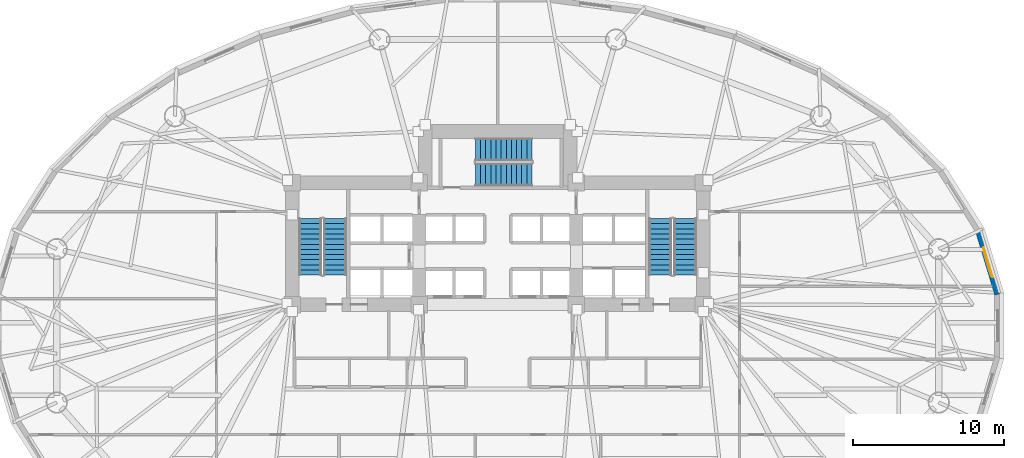
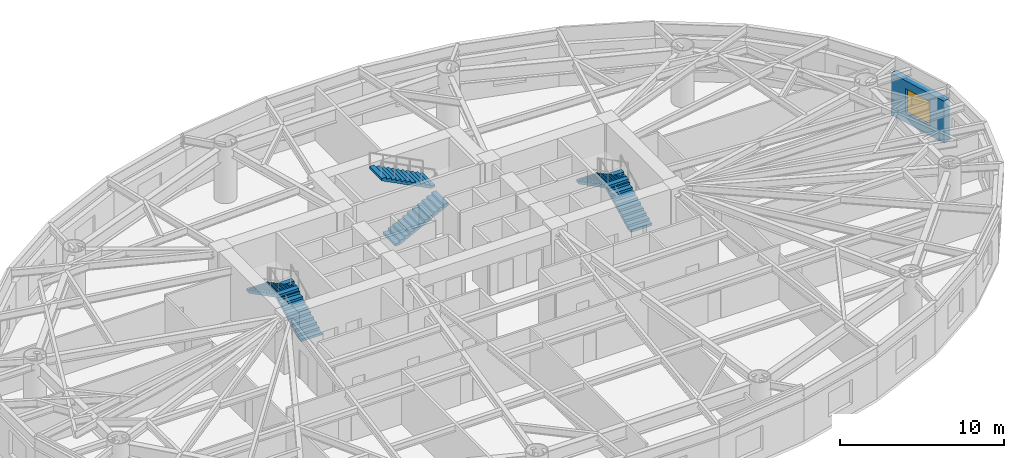
# One storey, part 9 of 14: 6 stair flights, 1 wall, 1 window, 1 opening, 3 elements without a shape of their own.
"""IFC4 building model written with IfcOpenShell, lengths in metres."""

from ifc_helpers import new_model, si_unit, direction, frame, frame_2d, origin, place, context, subcontext, project, spatial, polyline, rectangle, outline, extrude, material, layer, layer_set, type_object, element, fill, aggregate, save


model = new_model("IFC4")

# Units and contexts
model_context = context("Model", 3, precision=1e-05, world=origin(), true_north=direction((0.0, 1.0)))
body_context = subcontext(model_context, "Body", "Model", "MODEL_VIEW")
ifc_project = project(units=[si_unit("LENGTHUNIT", "METRE"), si_unit("AREAUNIT", "SQUARE_METRE"), si_unit("VOLUMEUNIT", "CUBIC_METRE"), si_unit("PLANEANGLEUNIT", "RADIAN"), si_unit("MASSUNIT", "GRAM", prefix="KILO")], contexts=[model_context])

# Site, building, storey
site_placement = place(None, origin())
site = spatial("IfcSite", under=ifc_project, at=site_placement, CompositionType="ELEMENT")
building_placement = place(site_placement, origin())
building = spatial("IfcBuilding", under=site, at=building_placement, Name="Keldmark Tower", CompositionType="ELEMENT")
storey_placement = place(building_placement, frame((0.0, 0.0, 18.60009765625)))
storey = spatial("IfcBuildingStorey", under=building, at=storey_placement, Name="L04", CompositionType="ELEMENT", Elevation=18.60009765625)

# Wall, opening, window
ifc_material_1 = material(Name="Ironspot Manganese Brick and Kasota Buff Limestone Cavity Assembly", Category="masonry")
ifc_layer = layer(ifc_material_1, 0.47998046875)
ifc_layer_set = layer_set([ifc_layer], Name="Ironspot Manganese Brick and Kasota Buff Limestone Cavity Assembly")
wall_type = type_object("IfcWallType", Name="Podium Brick and Limestone Cavity Wall 480 mm", PredefinedType="STANDARD", material=ifc_layer_set)
wall_placement = place(storey_placement, frame((31.827880859375, 6.316650390625, 0.0), z_axis=(0.0, 0.0, 1.0), x_axis=(0.289855603468, -0.957070388811, 0.0)))
wall = element("IfcWall", 1, at=wall_placement, inside=storey, type_object=wall_type, Name="L04 Exterior Brick and Spandrel Wall 01", PredefinedType="STANDARD", context=body_context, shape_type="SweptSolid", body=[
    extrude(rectangle(XDim=4.41943359375, YDim=0.47998046875, at=frame_2d((2.209716796875, 0.0))), origin(), (0.0, 0.0, 1.0), 3.10888671875),
])
opening_placement = place(wall_placement, frame((1.184814453125, 0.0, 0.719970703125)))
opening = element("IfcOpeningElement", 2, at=opening_placement, cuts=wall, Name="Opening W-07", PredefinedType="OPENING", context=body_context, shape_type="SweptSolid", body=[
    extrude(rectangle(XDim=2.050048828125, YDim=1.800048828125, at=frame_2d((1.02490234375, 0.89990234375))), frame((0.0, 0.25, 0.0), z_axis=(0.0, -1.0, 0.0), x_axis=(1.0, 0.0, 0.0)), (0.0, 0.0, 1.0), 0.5),
])
ifc_material_2 = material(Name="Thermally Broken Anodized Aluminum and Triple Low-E Argon Glazing", Category="aluminium")
window_type = type_object("IfcWindowType", Name="Podium Mezzanine Punched Window 2050x1800", PartitioningType="DOUBLE_PANEL_VERTICAL", PredefinedType="WINDOW", material=ifc_material_2)
window_placement = place(opening_placement, origin())
window = element("IfcWindow", 3, at=window_placement, inside=storey, type_object=window_type, Name="L04 Deep-Set Window 01", OverallHeight=1.800048828125, OverallWidth=2.050048828125, PartitioningType="SINGLE_PANEL", PredefinedType="WINDOW", context=body_context, shape_type="SweptSolid", body=[
    extrude(rectangle(XDim=2.050048828125, YDim=1.800048828125, at=frame_2d((1.02490234375, 0.89990234375))), frame((0.0, -0.010009765625, 0.0), z_axis=(0.0, -1.0, 0.0), x_axis=(1.0, 0.0, 0.0)), (0.0, 0.0, 1.0), 0.06005859375),
])
fill(opening, window)

# Stair, stair flights
ifc_material_3 = material(Name="Concrete C40/50", Category="concrete")
stair_type = type_object("IfcStairType", Name="Precast Concrete Core Exit Stair", PredefinedType="HALF_TURN_STAIR", material=ifc_material_3)
stair_1_placement = place(storey_placement, origin())
stair_1 = element("IfcStair", 4, at=stair_1_placement, inside=storey, type_object=stair_type, Name="L04 Exit Stair ST1", PredefinedType="HALF_TURN_STAIR")
ifc_material_4 = material(Name="Concrete C40/50", Category="concrete")
stair_flight_type = type_object("IfcStairFlightType", Name="Precast Concrete Stair Flight 1500 mm", PredefinedType="STRAIGHT", material=ifc_material_4)
stair_flight_1_placement = place(storey_placement, frame((-10.75, 3.35009765625, 0.0), z_axis=(0.0, 0.0, 1.0), x_axis=(0.0, 1.0, 0.0)))
stair_flight_1 = element("IfcStairFlight", 5, at=stair_flight_1_placement, type_object=stair_flight_type, Name="ST1 flight 1", NumberOfRisers=12, NumberOfTreads=11, PredefinedType="STRAIGHT", RiserHeight=0.175, TreadLength=0.34, context=body_context, shape_type="SweptSolid", body=[
    extrude(outline(polyline([(0.0, 0.0), (0.0, 0.175048828125), (0.340087890625, 0.175048828125), (0.340087890625, 0.35009765625), (0.679931640625, 0.35009765625), (0.679931640625, 0.52490234375), (1.02001953125, 0.52490234375), (1.02001953125, 0.699951171875), (1.360107421875, 0.699951171875), (1.360107421875, 0.875), (1.699951171875, 0.875), (1.699951171875, 1.050048828125), (2.0400390625, 1.050048828125), (2.0400390625, 1.22509765625), (2.3798828125, 1.22509765625), (2.3798828125, 1.39990234375), (2.719970703125, 1.39990234375), (2.719970703125, 1.574951171875), (3.06005859375, 1.574951171875), (3.06005859375, 1.75), (3.39990234375, 1.75), (3.39990234375, 1.925048828125), (3.739990234375, 1.925048828125), (3.739990234375, 2.10009765625), (3.739990234375, 1.75634765625), (0.32763671875, 0.0), (0.0, 0.0)])), frame((0.0, 0.75, 0.0), z_axis=(0.0, -1.0, 0.0), x_axis=(1.0, 0.0, 0.0)), (0.0, 0.0, 1.0), 1.5),
])
stair_flight_2_placement = place(storey_placement, frame((-12.39990234375, 7.090087890625, 2.099853515625), z_axis=(0.0, 0.0, 1.0), x_axis=(0.0, -1.0, 0.0)))
stair_flight_2 = element("IfcStairFlight", 6, at=stair_flight_2_placement, type_object=stair_flight_type, Name="ST1 flight 2", NumberOfRisers=12, NumberOfTreads=11, PredefinedType="STRAIGHT", RiserHeight=0.175, TreadLength=0.34, context=body_context, shape_type="SweptSolid", body=[
    extrude(outline(polyline([(0.0, 0.0), (0.0, 0.175048828125), (0.340087890625, 0.175048828125), (0.340087890625, 0.35009765625), (0.679931640625, 0.35009765625), (0.679931640625, 0.52490234375), (1.02001953125, 0.52490234375), (1.02001953125, 0.699951171875), (1.360107421875, 0.699951171875), (1.360107421875, 0.875), (1.699951171875, 0.875), (1.699951171875, 1.050048828125), (2.0400390625, 1.050048828125), (2.0400390625, 1.22509765625), (2.3798828125, 1.22509765625), (2.3798828125, 1.39990234375), (2.719970703125, 1.39990234375), (2.719970703125, 1.574951171875), (3.06005859375, 1.574951171875), (3.06005859375, 1.75), (3.39990234375, 1.75), (3.39990234375, 1.925048828125), (3.739990234375, 1.925048828125), (3.739990234375, 2.10009765625), (3.739990234375, 1.75634765625), (0.32763671875, 0.0), (0.0, 0.0)])), frame((0.0, 0.75, 0.0), z_axis=(0.0, -1.0, 0.0), x_axis=(1.0, 0.0, 0.0)), (0.0, 0.0, 1.0), 1.5),
])
aggregate(stair_1, [stair_flight_1, stair_flight_2])

stair_2_placement = place(storey_placement, origin())
stair_2 = element("IfcStair", 7, at=stair_2_placement, inside=storey, type_object=stair_type, Name="L04 Exit Stair ST2", PredefinedType="HALF_TURN_STAIR")
stair_flight_3_placement = place(storey_placement, frame((12.39990234375, 3.35009765625, 0.0), z_axis=(0.0, 0.0, 1.0), x_axis=(0.0, 1.0, 0.0)))
stair_flight_3 = element("IfcStairFlight", 8, at=stair_flight_3_placement, type_object=stair_flight_type, Name="ST2 flight 1", NumberOfRisers=12, NumberOfTreads=11, PredefinedType="STRAIGHT", RiserHeight=0.175, TreadLength=0.34, context=body_context, shape_type="SweptSolid", body=[
    extrude(outline(polyline([(0.0, 0.0), (0.0, 0.175048828125), (0.340087890625, 0.175048828125), (0.340087890625, 0.35009765625), (0.679931640625, 0.35009765625), (0.679931640625, 0.52490234375), (1.02001953125, 0.52490234375), (1.02001953125, 0.699951171875), (1.360107421875, 0.699951171875), (1.360107421875, 0.875), (1.699951171875, 0.875), (1.699951171875, 1.050048828125), (2.0400390625, 1.050048828125), (2.0400390625, 1.22509765625), (2.3798828125, 1.22509765625), (2.3798828125, 1.39990234375), (2.719970703125, 1.39990234375), (2.719970703125, 1.574951171875), (3.06005859375, 1.574951171875), (3.06005859375, 1.75), (3.39990234375, 1.75), (3.39990234375, 1.925048828125), (3.739990234375, 1.925048828125), (3.739990234375, 2.10009765625), (3.739990234375, 1.75634765625), (0.32763671875, 0.0), (0.0, 0.0)])), frame((0.0, 0.75, 0.0), z_axis=(0.0, -1.0, 0.0), x_axis=(1.0, 0.0, 0.0)), (0.0, 0.0, 1.0), 1.5),
])
stair_flight_4_placement = place(storey_placement, frame((10.75, 7.090087890625, 2.099853515625), z_axis=(0.0, 0.0, 1.0), x_axis=(0.0, -1.0, 0.0)))
stair_flight_4 = element("IfcStairFlight", 9, at=stair_flight_4_placement, type_object=stair_flight_type, Name="ST2 flight 2", NumberOfRisers=12, NumberOfTreads=11, PredefinedType="STRAIGHT", RiserHeight=0.175, TreadLength=0.34, context=body_context, shape_type="SweptSolid", body=[
    extrude(outline(polyline([(0.0, 0.0), (0.0, 0.175048828125), (0.340087890625, 0.175048828125), (0.340087890625, 0.35009765625), (0.679931640625, 0.35009765625), (0.679931640625, 0.52490234375), (1.02001953125, 0.52490234375), (1.02001953125, 0.699951171875), (1.360107421875, 0.699951171875), (1.360107421875, 0.875), (1.699951171875, 0.875), (1.699951171875, 1.050048828125), (2.0400390625, 1.050048828125), (2.0400390625, 1.22509765625), (2.3798828125, 1.22509765625), (2.3798828125, 1.39990234375), (2.719970703125, 1.39990234375), (2.719970703125, 1.574951171875), (3.06005859375, 1.574951171875), (3.06005859375, 1.75), (3.39990234375, 1.75), (3.39990234375, 1.925048828125), (3.739990234375, 1.925048828125), (3.739990234375, 2.10009765625), (3.739990234375, 1.75634765625), (0.32763671875, 0.0), (0.0, 0.0)])), frame((0.0, 0.75, 0.0), z_axis=(0.0, -1.0, 0.0), x_axis=(1.0, 0.0, 0.0)), (0.0, 0.0, 1.0), 1.5),
])
aggregate(stair_2, [stair_flight_3, stair_flight_4])

stair_3_placement = place(storey_placement, origin())
stair_3 = element("IfcStair", 10, at=stair_3_placement, inside=storey, type_object=stair_type, Name="L04 Exit Stair ST3", PredefinedType="HALF_TURN_STAIR")
stair_flight_5_placement = place(storey_placement, frame((-1.47509765625, 10.0, 0.0), z_axis=(0.0, 0.0, 1.0), x_axis=(1.0, 0.0, 0.0)))
stair_flight_5 = element("IfcStairFlight", 11, at=stair_flight_5_placement, type_object=stair_flight_type, Name="ST3 flight 1", NumberOfRisers=12, NumberOfTreads=11, PredefinedType="STRAIGHT", RiserHeight=0.175, TreadLength=0.34, context=body_context, shape_type="SweptSolid", body=[
    extrude(outline(polyline([(0.0, 0.0), (0.0, 0.175048828125), (0.340087890625, 0.175048828125), (0.340087890625, 0.35009765625), (0.679931640625, 0.35009765625), (0.679931640625, 0.52490234375), (1.02001953125, 0.52490234375), (1.02001953125, 0.699951171875), (1.360107421875, 0.699951171875), (1.360107421875, 0.875), (1.699951171875, 0.875), (1.699951171875, 1.050048828125), (2.0400390625, 1.050048828125), (2.0400390625, 1.22509765625), (2.3798828125, 1.22509765625), (2.3798828125, 1.39990234375), (2.719970703125, 1.39990234375), (2.719970703125, 1.574951171875), (3.06005859375, 1.574951171875), (3.06005859375, 1.75), (3.39990234375, 1.75), (3.39990234375, 1.925048828125), (3.739990234375, 1.925048828125), (3.739990234375, 2.10009765625), (3.739990234375, 1.75634765625), (0.32763671875, 0.0), (0.0, 0.0)])), frame((0.0, 0.75, 0.0), z_axis=(0.0, -1.0, 0.0), x_axis=(1.0, 0.0, 0.0)), (0.0, 0.0, 1.0), 1.5),
])
stair_flight_6_placement = place(storey_placement, frame((2.264892578125, 11.64990234375, 2.099853515625), z_axis=(0.0, 0.0, 1.0), x_axis=(-1.0, 0.0, 0.0)))
stair_flight_6 = element("IfcStairFlight", 12, at=stair_flight_6_placement, type_object=stair_flight_type, Name="ST3 flight 2", NumberOfRisers=12, NumberOfTreads=11, PredefinedType="STRAIGHT", RiserHeight=0.175, TreadLength=0.34, context=body_context, shape_type="SweptSolid", body=[
    extrude(outline(polyline([(0.0, 0.0), (0.0, 0.175048828125), (0.340087890625, 0.175048828125), (0.340087890625, 0.35009765625), (0.679931640625, 0.35009765625), (0.679931640625, 0.52490234375), (1.02001953125, 0.52490234375), (1.02001953125, 0.699951171875), (1.360107421875, 0.699951171875), (1.360107421875, 0.875), (1.699951171875, 0.875), (1.699951171875, 1.050048828125), (2.0400390625, 1.050048828125), (2.0400390625, 1.22509765625), (2.3798828125, 1.22509765625), (2.3798828125, 1.39990234375), (2.719970703125, 1.39990234375), (2.719970703125, 1.574951171875), (3.06005859375, 1.574951171875), (3.06005859375, 1.75), (3.39990234375, 1.75), (3.39990234375, 1.925048828125), (3.739990234375, 1.925048828125), (3.739990234375, 2.10009765625), (3.739990234375, 1.75634765625), (0.32763671875, 0.0), (0.0, 0.0)])), frame((0.0, 0.75, 0.0), z_axis=(0.0, -1.0, 0.0), x_axis=(1.0, 0.0, 0.0)), (0.0, 0.0, 1.0), 1.5),
])
aggregate(stair_3, [stair_flight_5, stair_flight_6])

save(model, "model.ifc")
